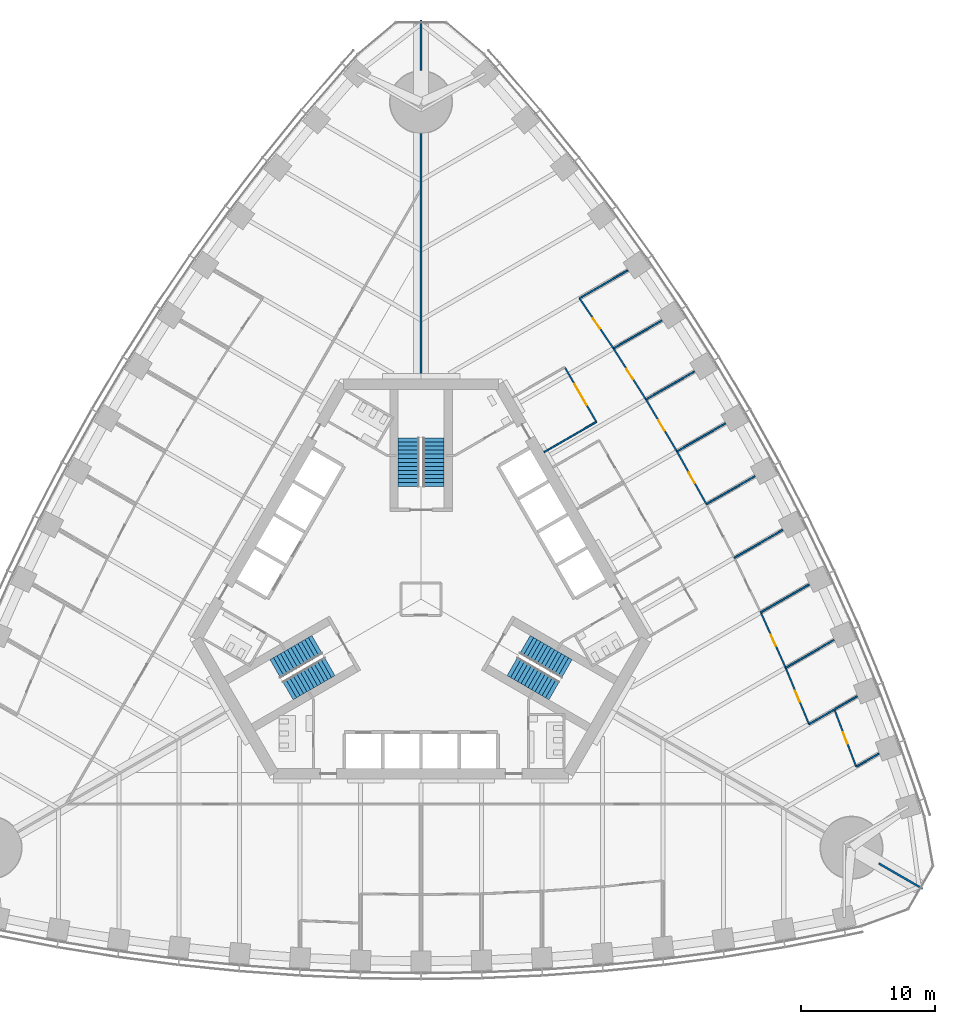
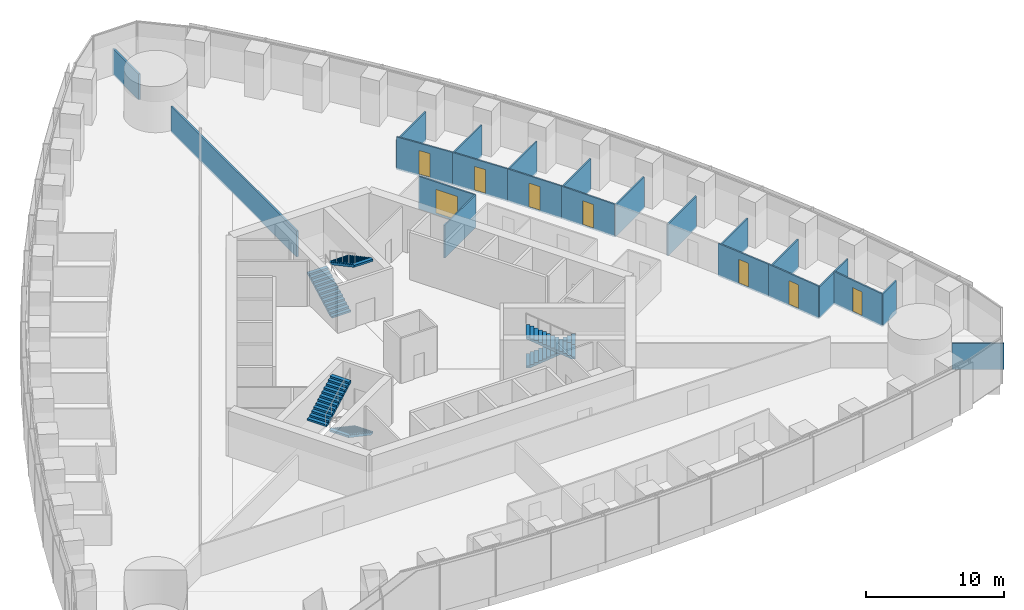
# One storey, part 13 of 18: 22 walls, 8 doors, 6 stair flights, 8 openings, 3 elements without a shape of their own.
"""IFC4 building model written with IfcOpenShell, lengths in metres."""

from ifc_helpers import new_model, si_unit, direction, frame, frame_2d, origin, place, context, subcontext, project, spatial, polyline, rectangle, outline, extrude, material, layer, layer_set, type_object, element, fill, aggregate, save


model = new_model("IFC4")

# Units and contexts
model_context = context("Model", 3, precision=1e-05, world=origin(), true_north=direction((0.0, 1.0)))
body_context = subcontext(model_context, "Body", "Model", "MODEL_VIEW")
ifc_project = project(units=[si_unit("LENGTHUNIT", "METRE"), si_unit("AREAUNIT", "SQUARE_METRE"), si_unit("VOLUMEUNIT", "CUBIC_METRE"), si_unit("PLANEANGLEUNIT", "RADIAN"), si_unit("MASSUNIT", "GRAM", prefix="KILO")], contexts=[model_context])

# Site, building, storey
site_placement = place(None, origin())
site = spatial("IfcSite", under=ifc_project, at=site_placement, CompositionType="ELEMENT")
building_placement = place(site_placement, origin())
building = spatial("IfcBuilding", under=site, at=building_placement, Name="Trefoil Bronze Tower", CompositionType="ELEMENT")
storey_placement = place(building_placement, frame((0.0, 0.0, 58.5)))
storey = spatial("IfcBuildingStorey", under=building, at=storey_placement, Name="L13", CompositionType="ELEMENT", Elevation=58.5)

# Wall, opening, door
ifc_material_1 = material(Name="Glazed partition", Category="glass")
ifc_layer_1 = layer(ifc_material_1, 0.1201171875)
ifc_layer_set_1 = layer_set([ifc_layer_1], Name="Glazed partition 120")
wall_type_1 = type_object("IfcWallType", Name="Glazed partition 120", PredefinedType="PARTITIONING", material=ifc_layer_set_1)
wall_1_placement = place(storey_placement, frame((13.0517578125, 13.193603515625, 0.0), z_axis=(0.0, 0.0, 1.0), x_axis=(-0.499977259774, 0.866038532462, 0.0)))
wall_1 = element("IfcWall", 1, at=wall_1_placement, inside=storey, type_object=wall_type_1, Name="Partition F2 L13", PredefinedType="PARTITIONING", context=body_context, shape_type="SweptSolid", body=[
    extrude(rectangle(XDim=4.699951171875, YDim=0.1201171875, at=frame_2d((2.35009765625, 0.0))), origin(), (0.0, 0.0, 1.0), 2.89990234375),
])
opening_1_placement = place(wall_1_placement, frame((1.449951171875, 0.0, 0.14990234375)))
opening_1 = element("IfcOpeningElement", 2, at=opening_1_placement, cuts=wall_1, Name="Opening D10", PredefinedType="OPENING", context=body_context, shape_type="SweptSolid", body=[
    extrude(rectangle(XDim=1.800048828125, YDim=2.10009765625, at=frame_2d((0.89990234375, 1.050048828125))), frame((0.0, 0.070068359375, 0.0), z_axis=(0.0, -1.0, 0.0), x_axis=(1.0, 0.0, 0.0)), (0.0, 0.0, 1.0), 0.14013671875),
])
ifc_material_2 = material(Name="Timber door", Category="wood")
door_type_1 = type_object("IfcDoorType", Name="Double door 1800", OperationType="DOUBLE_DOOR_SINGLE_SWING", PredefinedType="DOOR", material=ifc_material_2)
door_1_placement = place(opening_1_placement, origin())
door_1 = element("IfcDoor", 3, at=door_1_placement, inside=storey, type_object=door_type_1, Name="Reception door F2 L13", OperationType="DOUBLE_DOOR_SINGLE_SWING", OverallHeight=2.10009765625, OverallWidth=1.800048828125, PredefinedType="DOOR", context=body_context, shape_type="SweptSolid", body=[
    extrude(rectangle(XDim=1.800048828125, YDim=2.10009765625, at=frame_2d((0.89990234375, 1.050048828125))), frame((0.0, 0.02490234375, 0.0), z_axis=(0.0, -1.0, 0.0), x_axis=(1.0, 0.0, 0.0)), (0.0, 0.0, 1.0), 0.050048828125),
])
fill(opening_1, door_1)

# Wall
wall_2_placement = place(storey_placement, frame((9.15478515625, 10.943603515625, 0.0), z_axis=(0.0, 0.0, 1.0), x_axis=(0.866017533419, 0.500013631625, 0.0)))
element("IfcWall", 4, at=wall_2_placement, inside=storey, type_object=wall_type_1, Name="Partition F2 L13", PredefinedType="PARTITIONING", context=body_context, shape_type="SweptSolid", body=[
    extrude(rectangle(XDim=4.499755859375, YDim=0.1201171875, at=frame_2d((2.25, 0.0))), origin(), (0.0, 0.0, 1.0), 2.89990234375),
])

# Wall, opening, door
wall_3_placement = place(storey_placement, frame((19.051513671875, 10.999267578125, 0.0), z_axis=(0.0, 0.0, 1.0), x_axis=(-0.51252396108, 0.858672923364, 0.0)))
wall_3 = element("IfcWall", 5, at=wall_3_placement, inside=storey, type_object=wall_type_1, Name="Partition F2 L13", PredefinedType="PARTITIONING", context=body_context, shape_type="SweptSolid", body=[
    extrude(rectangle(XDim=4.50048828125, YDim=0.1201171875, at=frame_2d((2.250244140625, 0.0))), origin(), (0.0, 0.0, 1.0), 2.89990234375),
])
opening_2_placement = place(wall_3_placement, frame((1.800048828125, 0.0, 0.14990234375)))
opening_2 = element("IfcOpeningElement", 6, at=opening_2_placement, cuts=wall_3, Name="Opening D8", PredefinedType="OPENING", context=body_context, shape_type="SweptSolid", body=[
    extrude(rectangle(XDim=0.89990234375, YDim=2.10009765625, at=frame_2d((0.449951171875, 1.050048828125))), frame((0.0, 0.070068359375, 0.0), z_axis=(0.0, -1.0, 0.0), x_axis=(1.0, 0.0, 0.0)), (0.0, 0.0, 1.0), 0.14013671875),
])
ifc_material_3 = material(Name="Timber door", Category="wood")
door_type_2 = type_object("IfcDoorType", Name="Office door 900", OperationType="SINGLE_SWING_LEFT", PredefinedType="DOOR", material=ifc_material_3)
door_2_placement = place(opening_2_placement, frame((0.89990234375, 0.0, 0.0), z_axis=(0.0, 0.0, 1.0), x_axis=(-1.0, 0.0, 0.0)))
door_2 = element("IfcDoor", 7, at=door_2_placement, inside=storey, type_object=door_type_2, Name="Office door F2 L13", OperationType="SINGLE_SWING_RIGHT", OverallHeight=2.10009765625, OverallWidth=0.89990234375, PredefinedType="DOOR", context=body_context, shape_type="SweptSolid", body=[
    extrude(rectangle(XDim=0.89990234375, YDim=2.10009765625, at=frame_2d((0.449951171875, 1.050048828125))), frame((0.0, 0.02490234375, 0.0), z_axis=(0.0, -1.0, 0.0), x_axis=(1.0, 0.0, 0.0)), (0.0, 0.0, 1.0), 0.050048828125),
])
fill(opening_2, door_2)

wall_4_placement = place(storey_placement, frame((16.744873046875, 14.86376953125, 0.0), z_axis=(0.0, 0.0, 1.0), x_axis=(-0.537205132487, 0.843451626135, 0.0)))
wall_4 = element("IfcWall", 8, at=wall_4_placement, inside=storey, type_object=wall_type_1, Name="Partition F2 L13", PredefinedType="PARTITIONING", context=body_context, shape_type="SweptSolid", body=[
    extrude(rectangle(XDim=4.504150390625, YDim=0.1201171875, at=frame_2d((2.251953125, 0.0))), origin(), (0.0, 0.0, 1.0), 2.89990234375),
])
opening_3_placement = place(wall_4_placement, frame((1.800048828125, 0.0, 0.14990234375)))
opening_3 = element("IfcOpeningElement", 9, at=opening_3_placement, cuts=wall_4, Name="Opening D8", PredefinedType="OPENING", context=body_context, shape_type="SweptSolid", body=[
    extrude(rectangle(XDim=0.89990234375, YDim=2.10009765625, at=frame_2d((0.449951171875, 1.050048828125))), frame((0.0, 0.070068359375, 0.0), z_axis=(0.0, -1.0, 0.0), x_axis=(1.0, 0.0, 0.0)), (0.0, 0.0, 1.0), 0.14013671875),
])
door_3_placement = place(opening_3_placement, frame((0.89990234375, 0.0, 0.0), z_axis=(0.0, 0.0, 1.0), x_axis=(-1.0, 0.0, 0.0)))
door_3 = element("IfcDoor", 10, at=door_3_placement, inside=storey, type_object=door_type_2, Name="Office door F2 L13", OperationType="SINGLE_SWING_RIGHT", OverallHeight=2.10009765625, OverallWidth=0.89990234375, PredefinedType="DOOR", context=body_context, shape_type="SweptSolid", body=[
    extrude(rectangle(XDim=0.89990234375, YDim=2.10009765625, at=frame_2d((0.449951171875, 1.050048828125))), frame((0.0, 0.02490234375, 0.0), z_axis=(0.0, -1.0, 0.0), x_axis=(1.0, 0.0, 0.0)), (0.0, 0.0, 1.0), 0.050048828125),
])
fill(opening_3, door_3)

wall_5_placement = place(storey_placement, frame((14.3251953125, 18.662841796875, 0.0), z_axis=(0.0, 0.0, 1.0), x_axis=(-0.561512004239, 0.827468591002, 0.0)))
wall_5 = element("IfcWall", 11, at=wall_5_placement, inside=storey, type_object=wall_type_1, Name="Partition F2 L13", PredefinedType="PARTITIONING", context=body_context, shape_type="SweptSolid", body=[
    extrude(rectangle(XDim=4.51171875, YDim=0.1201171875, at=frame_2d((2.255859375, 0.0))), origin(), (0.0, 0.0, 1.0), 2.89990234375),
])
opening_4_placement = place(wall_5_placement, frame((1.800048828125, 0.0, 0.14990234375)))
opening_4 = element("IfcOpeningElement", 12, at=opening_4_placement, cuts=wall_5, Name="Opening D8", PredefinedType="OPENING", context=body_context, shape_type="SweptSolid", body=[
    extrude(rectangle(XDim=0.89990234375, YDim=2.10009765625, at=frame_2d((0.449951171875, 1.050048828125))), frame((0.0, 0.070068359375, 0.0), z_axis=(0.0, -1.0, 0.0), x_axis=(1.0, 0.0, 0.0)), (0.0, 0.0, 1.0), 0.14013671875),
])
door_4_placement = place(opening_4_placement, frame((0.89990234375, 0.0, 0.0), z_axis=(0.0, 0.0, 1.0), x_axis=(-1.0, 0.0, 0.0)))
door_4 = element("IfcDoor", 13, at=door_4_placement, inside=storey, type_object=door_type_2, Name="Office door F2 L13", OperationType="SINGLE_SWING_RIGHT", OverallHeight=2.10009765625, OverallWidth=0.89990234375, PredefinedType="DOOR", context=body_context, shape_type="SweptSolid", body=[
    extrude(rectangle(XDim=0.89990234375, YDim=2.10009765625, at=frame_2d((0.449951171875, 1.050048828125))), frame((0.0, 0.02490234375, 0.0), z_axis=(0.0, -1.0, 0.0), x_axis=(1.0, 0.0, 0.0)), (0.0, 0.0, 1.0), 0.050048828125),
])
fill(opening_4, door_4)

wall_6_placement = place(storey_placement, frame((27.143798828125, -5.113037109375, 0.0), z_axis=(0.0, 0.0, 1.0), x_axis=(-0.409451055745, 0.912332084796, 0.0)))
wall_6 = element("IfcWall", 14, at=wall_6_placement, inside=storey, type_object=wall_type_1, Name="Partition F2 L13", PredefinedType="PARTITIONING", context=body_context, shape_type="SweptSolid", body=[
    extrude(rectangle(XDim=4.523193359375, YDim=0.1201171875, at=frame_2d((2.26171875, 0.0))), origin(), (0.0, 0.0, 1.0), 2.89990234375),
])
opening_5_placement = place(wall_6_placement, frame((1.800048828125, 0.0, 0.14990234375)))
opening_5 = element("IfcOpeningElement", 15, at=opening_5_placement, cuts=wall_6, Name="Opening D8", PredefinedType="OPENING", context=body_context, shape_type="SweptSolid", body=[
    extrude(rectangle(XDim=0.89990234375, YDim=2.10009765625, at=frame_2d((0.449951171875, 1.050048828125))), frame((0.0, 0.070068359375, 0.0), z_axis=(0.0, -1.0, 0.0), x_axis=(1.0, 0.0, 0.0)), (0.0, 0.0, 1.0), 0.14013671875),
])
door_5_placement = place(opening_5_placement, frame((0.89990234375, 0.0, 0.0), z_axis=(0.0, 0.0, 1.0), x_axis=(-1.0, 0.0, 0.0)))
door_5 = element("IfcDoor", 16, at=door_5_placement, inside=storey, type_object=door_type_2, Name="Office door F2 L13", OperationType="SINGLE_SWING_RIGHT", OverallHeight=2.10009765625, OverallWidth=0.89990234375, PredefinedType="DOOR", context=body_context, shape_type="SweptSolid", body=[
    extrude(rectangle(XDim=0.89990234375, YDim=2.10009765625, at=frame_2d((0.449951171875, 1.050048828125))), frame((0.0, 0.02490234375, 0.0), z_axis=(0.0, -1.0, 0.0), x_axis=(1.0, 0.0, 0.0)), (0.0, 0.0, 1.0), 0.050048828125),
])
fill(opening_5, door_5)

wall_7_placement = place(storey_placement, frame((28.88037109375, -9.306640625, 0.0), z_axis=(0.0, 0.0, 1.0), x_axis=(-0.382594071331, 0.923916542001, 0.0)))
wall_7 = element("IfcWall", 17, at=wall_7_placement, inside=storey, type_object=wall_type_1, Name="Partition F2 L13", PredefinedType="PARTITIONING", context=body_context, shape_type="SweptSolid", body=[
    extrude(rectangle(XDim=4.5390625, YDim=0.1201171875, at=frame_2d((2.26953125, 0.0))), origin(), (0.0, 0.0, 1.0), 2.89990234375),
])
opening_6_placement = place(wall_7_placement, frame((1.800048828125, 0.0, 0.14990234375)))
opening_6 = element("IfcOpeningElement", 18, at=opening_6_placement, cuts=wall_7, Name="Opening D8", PredefinedType="OPENING", context=body_context, shape_type="SweptSolid", body=[
    extrude(rectangle(XDim=0.89990234375, YDim=2.10009765625, at=frame_2d((0.449951171875, 1.050048828125))), frame((0.0, 0.070068359375, 0.0), z_axis=(0.0, -1.0, 0.0), x_axis=(1.0, 0.0, 0.0)), (0.0, 0.0, 1.0), 0.14013671875),
])
door_6_placement = place(opening_6_placement, frame((0.89990234375, 0.0, 0.0), z_axis=(0.0, 0.0, 1.0), x_axis=(-1.0, 0.0, 0.0)))
door_6 = element("IfcDoor", 19, at=door_6_placement, inside=storey, type_object=door_type_2, Name="Office door F2 L13", OperationType="SINGLE_SWING_RIGHT", OverallHeight=2.10009765625, OverallWidth=0.89990234375, PredefinedType="DOOR", context=body_context, shape_type="SweptSolid", body=[
    extrude(rectangle(XDim=0.89990234375, YDim=2.10009765625, at=frame_2d((0.449951171875, 1.050048828125))), frame((0.0, 0.02490234375, 0.0), z_axis=(0.0, -1.0, 0.0), x_axis=(1.0, 0.0, 0.0)), (0.0, 0.0, 1.0), 0.050048828125),
])
fill(opening_6, door_6)

wall_8_placement = place(storey_placement, frame((32.392578125, -12.47509765625, 0.0), z_axis=(0.0, 0.0, 1.0), x_axis=(-0.355351603025, 0.93473270951, 0.0)))
wall_8 = element("IfcWall", 20, at=wall_8_placement, inside=storey, type_object=wall_type_1, Name="Partition F2 L13", PredefinedType="PARTITIONING", context=body_context, shape_type="SweptSolid", body=[
    extrude(rectangle(XDim=4.55859375, YDim=0.1201171875, at=frame_2d((2.279296875, 0.0))), origin(), (0.0, 0.0, 1.0), 2.89990234375),
])
opening_7_placement = place(wall_8_placement, frame((1.85009765625, 0.0, 0.14990234375)))
opening_7 = element("IfcOpeningElement", 21, at=opening_7_placement, cuts=wall_8, Name="Opening D8", PredefinedType="OPENING", context=body_context, shape_type="SweptSolid", body=[
    extrude(rectangle(XDim=0.89990234375, YDim=2.10009765625, at=frame_2d((0.449951171875, 1.050048828125))), frame((0.0, 0.070068359375, 0.0), z_axis=(0.0, -1.0, 0.0), x_axis=(1.0, 0.0, 0.0)), (0.0, 0.0, 1.0), 0.14013671875),
])
door_7_placement = place(opening_7_placement, frame((0.89990234375, 0.0, 0.0), z_axis=(0.0, 0.0, 1.0), x_axis=(-1.0, 0.0, 0.0)))
door_7 = element("IfcDoor", 22, at=door_7_placement, inside=storey, type_object=door_type_2, Name="Print and store room door F2 L13", OperationType="SINGLE_SWING_LEFT", OverallHeight=2.10009765625, OverallWidth=0.89990234375, PredefinedType="DOOR", context=body_context, shape_type="SweptSolid", body=[
    extrude(rectangle(XDim=0.89990234375, YDim=2.10009765625, at=frame_2d((0.449951171875, 1.050048828125))), frame((0.0, 0.02490234375, 0.0), z_axis=(0.0, -1.0, 0.0), x_axis=(1.0, 0.0, 0.0)), (0.0, 0.0, 1.0), 0.050048828125),
])
fill(opening_7, door_7)

wall_9_placement = place(storey_placement, frame((21.244873046875, 7.069580078125, 0.0), z_axis=(0.0, 0.0, 1.0), x_axis=(-0.487373854787, 0.873193406795, 0.0)))
wall_9 = element("IfcWall", 23, at=wall_9_placement, inside=storey, type_object=wall_type_1, Name="Partition F2 L13", PredefinedType="PARTITIONING", context=body_context, shape_type="SweptSolid", body=[
    extrude(rectangle(XDim=4.500244140625, YDim=0.1201171875, at=frame_2d((2.25, 0.0))), origin(), (0.0, 0.0, 1.0), 2.89990234375),
])
opening_8_placement = place(wall_9_placement, frame((1.800048828125, 0.0, 0.14990234375)))
opening_8 = element("IfcOpeningElement", 24, at=opening_8_placement, cuts=wall_9, Name="Opening D8", PredefinedType="OPENING", context=body_context, shape_type="SweptSolid", body=[
    extrude(rectangle(XDim=0.89990234375, YDim=2.10009765625, at=frame_2d((0.449951171875, 1.050048828125))), frame((0.0, 0.070068359375, 0.0), z_axis=(0.0, -1.0, 0.0), x_axis=(1.0, 0.0, 0.0)), (0.0, 0.0, 1.0), 0.14013671875),
])
door_8_placement = place(opening_8_placement, frame((0.89990234375, 0.0, 0.0), z_axis=(0.0, 0.0, 1.0), x_axis=(-1.0, 0.0, 0.0)))
door_8 = element("IfcDoor", 25, at=door_8_placement, inside=storey, type_object=door_type_2, Name="Office door F2 L13", OperationType="SINGLE_SWING_RIGHT", OverallHeight=2.10009765625, OverallWidth=0.89990234375, PredefinedType="DOOR", context=body_context, shape_type="SweptSolid", body=[
    extrude(rectangle(XDim=0.89990234375, YDim=2.10009765625, at=frame_2d((0.449951171875, 1.050048828125))), frame((0.0, 0.02490234375, 0.0), z_axis=(0.0, -1.0, 0.0), x_axis=(1.0, 0.0, 0.0)), (0.0, 0.0, 1.0), 0.050048828125),
])
fill(opening_8, door_8)

# Walls
wall_10_placement = place(storey_placement, frame((19.051513671875, 10.999267578125, 0.0), z_axis=(0.0, 0.0, 1.0), x_axis=(0.866004239599, 0.500036655653, 0.0)))
element("IfcWall", 26, at=wall_10_placement, inside=storey, type_object=wall_type_1, Name="Partition F2 L13", PredefinedType="PARTITIONING", context=body_context, shape_type="SweptSolid", body=[
    extrude(rectangle(XDim=4.170166015625, YDim=0.1201171875, at=frame_2d((2.0849609375, 0.0))), origin(), (0.0, 0.0, 1.0), 2.800048828125),
])
wall_11_placement = place(storey_placement, frame((11.791748046875, 22.396240234375, 0.0), z_axis=(0.0, 0.0, 1.0), x_axis=(0.866011781705, 0.500023593391, 0.0)))
element("IfcWall", 27, at=wall_11_placement, inside=storey, type_object=wall_type_1, Name="Partition F2 L13", PredefinedType="PARTITIONING", context=body_context, shape_type="SweptSolid", body=[
    extrude(rectangle(XDim=4.163818359375, YDim=0.1201171875, at=frame_2d((2.08203125, 0.0))), origin(), (0.0, 0.0, 1.0), 2.60009765625),
])
wall_12_placement = place(storey_placement, frame((16.744873046875, 14.86376953125, 0.0), z_axis=(0.0, 0.0, 1.0), x_axis=(0.866025669538, 0.499999539701, 0.0)))
element("IfcWall", 28, at=wall_12_placement, inside=storey, type_object=wall_type_1, Name="Partition F2 L13", PredefinedType="PARTITIONING", context=body_context, shape_type="SweptSolid", body=[
    extrude(rectangle(XDim=4.16943359375, YDim=0.1201171875, at=frame_2d((2.084716796875, 0.0))), origin(), (0.0, 0.0, 1.0), 2.800048828125),
])
wall_13_placement = place(storey_placement, frame((14.3251953125, 18.662841796875, 0.0), z_axis=(0.0, 0.0, 1.0), x_axis=(0.866009971343, 0.50002672882, 0.0)))
element("IfcWall", 29, at=wall_13_placement, inside=storey, type_object=wall_type_1, Name="Partition F2 L13", PredefinedType="PARTITIONING", context=body_context, shape_type="SweptSolid", body=[
    extrude(rectangle(XDim=4.167236328125, YDim=0.1201171875, at=frame_2d((2.08349609375, 0.0))), origin(), (0.0, 0.0, 1.0), 2.800048828125),
])
wall_14_placement = place(storey_placement, frame((25.291748046875, -0.986328125, 0.0), z_axis=(0.0, 0.0, 1.0), x_axis=(0.866011781705, 0.500023593391, 0.0)))
element("IfcWall", 30, at=wall_14_placement, inside=storey, type_object=wall_type_1, Name="Partition F2 L13", PredefinedType="PARTITIONING", context=body_context, shape_type="SweptSolid", body=[
    extrude(rectangle(XDim=4.163818359375, YDim=0.1201171875, at=frame_2d((2.08203125, 0.0))), origin(), (0.0, 0.0, 1.0), 2.60009765625),
])
wall_15_placement = place(storey_placement, frame((27.143798828125, -5.113037109375, 0.0), z_axis=(0.0, 0.0, 1.0), x_axis=(0.866031144707, 0.499990056298, 0.0)))
element("IfcWall", 31, at=wall_15_placement, inside=storey, type_object=wall_type_1, Name="Partition F2 L13", PredefinedType="PARTITIONING", context=body_context, shape_type="SweptSolid", body=[
    extrude(rectangle(XDim=4.1591796875, YDim=0.1201171875, at=frame_2d((2.07958984375, 0.0))), origin(), (0.0, 0.0, 1.0), 2.60009765625),
])
wall_16_placement = place(storey_placement, frame((28.88037109375, -9.306640625, 0.0), z_axis=(0.0, 0.0, 1.0), x_axis=(0.866027987673, 0.499995524547, 0.0)))
element("IfcWall", 32, at=wall_16_placement, inside=storey, type_object=wall_type_1, Name="Partition F2 L13", PredefinedType="PARTITIONING", context=body_context, shape_type="SweptSolid", body=[
    extrude(rectangle(XDim=4.1533203125, YDim=0.1201171875, at=frame_2d((2.07666015625, 0.0))), origin(), (0.0, 0.0, 1.0), 2.800048828125),
])
wall_17_placement = place(storey_placement, frame((32.392578125, -12.47509765625, 0.0), z_axis=(0.0, 0.0, 1.0), x_axis=(0.865996887259, 0.500049388818, 0.0)))
element("IfcWall", 33, at=wall_17_placement, inside=storey, type_object=wall_type_1, Name="Partition F2 L13", PredefinedType="PARTITIONING", context=body_context, shape_type="SweptSolid", body=[
    extrude(rectangle(XDim=1.960693359375, YDim=0.1201171875, at=frame_2d((0.98046875, 0.0))), origin(), (0.0, 0.0, 1.0), 2.89990234375),
])
wall_18_placement = place(storey_placement, frame((21.244873046875, 7.069580078125, 0.0), z_axis=(0.0, 0.0, 1.0), x_axis=(0.866025669538, 0.499999539701, 0.0)))
element("IfcWall", 34, at=wall_18_placement, inside=storey, type_object=wall_type_1, Name="Partition F2 L13", PredefinedType="PARTITIONING", context=body_context, shape_type="SweptSolid", body=[
    extrude(rectangle(XDim=4.16943359375, YDim=0.1201171875, at=frame_2d((2.084716796875, 0.0))), origin(), (0.0, 0.0, 1.0), 2.800048828125),
])
wall_19_placement = place(storey_placement, frame((23.3251953125, 3.074462890625, 0.0), z_axis=(0.0, 0.0, 1.0), x_axis=(0.866009971343, 0.50002672882, 0.0)))
element("IfcWall", 35, at=wall_19_placement, inside=storey, type_object=wall_type_1, Name="Partition F2 L13", PredefinedType="PARTITIONING", context=body_context, shape_type="SweptSolid", body=[
    extrude(rectangle(XDim=4.167236328125, YDim=0.1201171875, at=frame_2d((2.08349609375, 0.0))), origin(), (0.0, 0.0, 1.0), 2.800048828125),
])
ifc_material_4 = material(Name="Gypsum board on steel studs", Category="steel")
ifc_layer_2 = layer(ifc_material_4, 0.14990234375)
ifc_layer_set_2 = layer_set([ifc_layer_2], Name="Party wall 150")
wall_type_2 = type_object("IfcWallType", Name="Party wall 150", PredefinedType="PARTITIONING", material=ifc_layer_set_2)
wall_20_placement = place(storey_placement, frame((34.078125, -19.675048828125, 0.0), z_axis=(0.0, 0.0, 1.0), x_axis=(0.866019247219, -0.500010663332, 0.0)))
element("IfcWall", 36, at=wall_20_placement, inside=storey, type_object=wall_type_2, Name="Party wall K1 L13", PredefinedType="PARTITIONING", context=body_context, shape_type="SweptSolid", body=[
    extrude(rectangle(XDim=3.76416015625, YDim=0.14990234375, at=frame_2d((1.882080078125, 0.0))), origin(), (0.0, 0.0, 1.0), 2.300048828125),
])
wall_21_placement = place(storey_placement, frame((0.0, 16.39990234375, 0.0), z_axis=(0.0, 0.0, 1.0), x_axis=(0.0, 1.0, 0.0)))
element("IfcWall", 37, at=wall_21_placement, inside=storey, type_object=wall_type_2, Name="Party wall K2 L13", PredefinedType="PARTITIONING", context=body_context, shape_type="SweptSolid", body=[
    extrude(rectangle(XDim=18.25, YDim=0.14990234375, at=frame_2d((9.125, 0.0))), origin(), (0.0, 0.0, 1.0), 2.300048828125),
])
wall_22_placement = place(storey_placement, frame((0.0, 39.35009765625, 0.0), z_axis=(0.0, 0.0, 1.0), x_axis=(0.0, 1.0, 0.0)))
element("IfcWall", 38, at=wall_22_placement, inside=storey, type_object=wall_type_2, Name="Party wall K2 L13", PredefinedType="PARTITIONING", context=body_context, shape_type="SweptSolid", body=[
    extrude(rectangle(XDim=3.763916015625, YDim=0.14990234375, at=frame_2d((1.8818359375, 0.0))), origin(), (0.0, 0.0, 1.0), 2.300048828125),
])

# Stair, stair flights
ifc_material_5 = material(Name="Precast concrete B80", Category="concrete")
stair_type = type_object("IfcStairType", Name="Exit stair 26 risers", PredefinedType="HALF_TURN_STAIR", material=ifc_material_5)
stair_1_placement = place(storey_placement, origin())
stair_1 = element("IfcStair", 39, at=stair_1_placement, inside=storey, type_object=stair_type, Name="Stair ST1 L13", PredefinedType="HALF_TURN_STAIR")
ifc_material_6 = material(Name="Precast concrete B80", Category="concrete")
stair_flight_type = type_object("IfcStairFlightType", Name="Stair flight 1600", PredefinedType="STRAIGHT", material=ifc_material_6)
stair_flight_1_placement = place(storey_placement, frame((7.728515625, -3.39404296875, 0.0), z_axis=(0.0, 0.0, 1.0), x_axis=(0.866025403784, -0.5, 0.0)))
stair_flight_1 = element("IfcStairFlight", 40, at=stair_flight_1_placement, type_object=stair_flight_type, Name="ST1 flight 1", NumberOfRisers=13, NumberOfTreads=12, PredefinedType="STRAIGHT", RiserHeight=0.161538462, TreadLength=0.3, context=body_context, shape_type="SweptSolid", body=[
    extrude(outline(polyline([(0.0, 0.0), (0.0, 0.16162109375), (0.300048828125, 0.16162109375), (0.300048828125, 0.322998046875), (0.60009765625, 0.322998046875), (0.60009765625, 0.484619140625), (0.89990234375, 0.484619140625), (0.89990234375, 0.646240234375), (1.199951171875, 0.646240234375), (1.199951171875, 0.8076171875), (1.5, 0.8076171875), (1.5, 0.96923828125), (1.800048828125, 0.96923828125), (1.800048828125, 1.130859375), (2.10009765625, 1.130859375), (2.10009765625, 1.292236328125), (2.39990234375, 1.292236328125), (2.39990234375, 1.453857421875), (2.699951171875, 1.453857421875), (2.699951171875, 1.615478515625), (3.0, 1.615478515625), (3.0, 1.77685546875), (3.300048828125, 1.77685546875), (3.300048828125, 1.9384765625), (3.60009765625, 1.9384765625), (3.60009765625, 2.10009765625), (3.60009765625, 1.768310546875), (0.316162109375, 0.0), (0.0, 0.0)])), frame((0.0, 0.800048828125, 0.0), z_axis=(0.0, -1.0, 0.0), x_axis=(1.0, 0.0, 0.0)), (0.0, 0.0, 1.0), 1.60009765625),
])
stair_flight_2_placement = place(storey_placement, frame((9.921142578125, -6.796142578125, 2.10009765625), z_axis=(0.0, 0.0, 1.0), x_axis=(-0.866025403784, 0.5, 0.0)))
stair_flight_2 = element("IfcStairFlight", 41, at=stair_flight_2_placement, type_object=stair_flight_type, Name="ST1 flight 2", NumberOfRisers=13, NumberOfTreads=12, PredefinedType="STRAIGHT", RiserHeight=0.161538462, TreadLength=0.3, context=body_context, shape_type="SweptSolid", body=[
    extrude(outline(polyline([(0.0, 0.0), (0.0, 0.16162109375), (0.300048828125, 0.16162109375), (0.300048828125, 0.322998046875), (0.60009765625, 0.322998046875), (0.60009765625, 0.484619140625), (0.89990234375, 0.484619140625), (0.89990234375, 0.646240234375), (1.199951171875, 0.646240234375), (1.199951171875, 0.8076171875), (1.5, 0.8076171875), (1.5, 0.96923828125), (1.800048828125, 0.96923828125), (1.800048828125, 1.130859375), (2.10009765625, 1.130859375), (2.10009765625, 1.292236328125), (2.39990234375, 1.292236328125), (2.39990234375, 1.453857421875), (2.699951171875, 1.453857421875), (2.699951171875, 1.615478515625), (3.0, 1.615478515625), (3.0, 1.77685546875), (3.300048828125, 1.77685546875), (3.300048828125, 1.9384765625), (3.60009765625, 1.9384765625), (3.60009765625, 2.10009765625), (3.60009765625, 1.768310546875), (0.316162109375, 0.0), (0.0, 0.0)])), frame((0.0, 0.800048828125, 0.0), z_axis=(0.0, -1.0, 0.0), x_axis=(1.0, 0.0, 0.0)), (0.0, 0.0, 1.0), 1.60009765625),
])
aggregate(stair_1, [stair_flight_1, stair_flight_2])

stair_2_placement = place(storey_placement, origin())
stair_2 = element("IfcStair", 42, at=stair_2_placement, inside=storey, type_object=stair_type, Name="Stair ST2 L13", PredefinedType="HALF_TURN_STAIR")
stair_flight_3_placement = place(storey_placement, frame((-0.925048828125, 8.389892578125, 0.0), z_axis=(0.0, 0.0, 1.0), x_axis=(0.0, 1.0, 0.0)))
stair_flight_3 = element("IfcStairFlight", 43, at=stair_flight_3_placement, type_object=stair_flight_type, Name="ST2 flight 1", NumberOfRisers=13, NumberOfTreads=12, PredefinedType="STRAIGHT", RiserHeight=0.161538462, TreadLength=0.3, context=body_context, shape_type="SweptSolid", body=[
    extrude(outline(polyline([(0.0, 0.0), (0.0, 0.16162109375), (0.300048828125, 0.16162109375), (0.300048828125, 0.322998046875), (0.60009765625, 0.322998046875), (0.60009765625, 0.484619140625), (0.89990234375, 0.484619140625), (0.89990234375, 0.646240234375), (1.199951171875, 0.646240234375), (1.199951171875, 0.8076171875), (1.5, 0.8076171875), (1.5, 0.96923828125), (1.800048828125, 0.96923828125), (1.800048828125, 1.130859375), (2.10009765625, 1.130859375), (2.10009765625, 1.292236328125), (2.39990234375, 1.292236328125), (2.39990234375, 1.453857421875), (2.699951171875, 1.453857421875), (2.699951171875, 1.615478515625), (3.0, 1.615478515625), (3.0, 1.77685546875), (3.300048828125, 1.77685546875), (3.300048828125, 1.9384765625), (3.60009765625, 1.9384765625), (3.60009765625, 2.10009765625), (3.60009765625, 1.768310546875), (0.316162109375, 0.0), (0.0, 0.0)])), frame((0.0, 0.800048828125, 0.0), z_axis=(0.0, -1.0, 0.0), x_axis=(1.0, 0.0, 0.0)), (0.0, 0.0, 1.0), 1.60009765625),
])
stair_flight_4_placement = place(storey_placement, frame((0.925048828125, 11.989990234375, 2.10009765625), z_axis=(0.0, 0.0, 1.0), x_axis=(0.0, -1.0, 0.0)))
stair_flight_4 = element("IfcStairFlight", 44, at=stair_flight_4_placement, type_object=stair_flight_type, Name="ST2 flight 2", NumberOfRisers=13, NumberOfTreads=12, PredefinedType="STRAIGHT", RiserHeight=0.161538462, TreadLength=0.3, context=body_context, shape_type="SweptSolid", body=[
    extrude(outline(polyline([(0.0, 0.0), (0.0, 0.16162109375), (0.300048828125, 0.16162109375), (0.300048828125, 0.322998046875), (0.60009765625, 0.322998046875), (0.60009765625, 0.484619140625), (0.89990234375, 0.484619140625), (0.89990234375, 0.646240234375), (1.199951171875, 0.646240234375), (1.199951171875, 0.8076171875), (1.5, 0.8076171875), (1.5, 0.96923828125), (1.800048828125, 0.96923828125), (1.800048828125, 1.130859375), (2.10009765625, 1.130859375), (2.10009765625, 1.292236328125), (2.39990234375, 1.292236328125), (2.39990234375, 1.453857421875), (2.699951171875, 1.453857421875), (2.699951171875, 1.615478515625), (3.0, 1.615478515625), (3.0, 1.77685546875), (3.300048828125, 1.77685546875), (3.300048828125, 1.9384765625), (3.60009765625, 1.9384765625), (3.60009765625, 2.10009765625), (3.60009765625, 1.768310546875), (0.316162109375, 0.0), (0.0, 0.0)])), frame((0.0, 0.800048828125, 0.0), z_axis=(0.0, -1.0, 0.0), x_axis=(1.0, 0.0, 0.0)), (0.0, 0.0, 1.0), 1.60009765625),
])
aggregate(stair_2, [stair_flight_3, stair_flight_4])

stair_3_placement = place(storey_placement, origin())
stair_3 = element("IfcStair", 45, at=stair_3_placement, inside=storey, type_object=stair_type, Name="Stair ST3 L13", PredefinedType="HALF_TURN_STAIR")
stair_flight_5_placement = place(storey_placement, frame((-6.803466796875, -4.99609375, 0.0), z_axis=(0.0, 0.0, 1.0), x_axis=(-0.866025403784, -0.5, 0.0)))
stair_flight_5 = element("IfcStairFlight", 46, at=stair_flight_5_placement, type_object=stair_flight_type, Name="ST3 flight 1", NumberOfRisers=13, NumberOfTreads=12, PredefinedType="STRAIGHT", RiserHeight=0.161538462, TreadLength=0.3, context=body_context, shape_type="SweptSolid", body=[
    extrude(outline(polyline([(0.0, 0.0), (0.0, 0.16162109375), (0.300048828125, 0.16162109375), (0.300048828125, 0.322998046875), (0.60009765625, 0.322998046875), (0.60009765625, 0.484619140625), (0.89990234375, 0.484619140625), (0.89990234375, 0.646240234375), (1.199951171875, 0.646240234375), (1.199951171875, 0.8076171875), (1.5, 0.8076171875), (1.5, 0.96923828125), (1.800048828125, 0.96923828125), (1.800048828125, 1.130859375), (2.10009765625, 1.130859375), (2.10009765625, 1.292236328125), (2.39990234375, 1.292236328125), (2.39990234375, 1.453857421875), (2.699951171875, 1.453857421875), (2.699951171875, 1.615478515625), (3.0, 1.615478515625), (3.0, 1.77685546875), (3.300048828125, 1.77685546875), (3.300048828125, 1.9384765625), (3.60009765625, 1.9384765625), (3.60009765625, 2.10009765625), (3.60009765625, 1.768310546875), (0.316162109375, 0.0), (0.0, 0.0)])), frame((0.0, 0.800048828125, 0.0), z_axis=(0.0, -1.0, 0.0), x_axis=(1.0, 0.0, 0.0)), (0.0, 0.0, 1.0), 1.60009765625),
])
stair_flight_6_placement = place(storey_placement, frame((-10.84619140625, -5.19384765625, 2.10009765625), z_axis=(0.0, 0.0, 1.0), x_axis=(0.866025403784, 0.5, 0.0)))
stair_flight_6 = element("IfcStairFlight", 47, at=stair_flight_6_placement, type_object=stair_flight_type, Name="ST3 flight 2", NumberOfRisers=13, NumberOfTreads=12, PredefinedType="STRAIGHT", RiserHeight=0.161538462, TreadLength=0.3, context=body_context, shape_type="SweptSolid", body=[
    extrude(outline(polyline([(0.0, 0.0), (0.0, 0.16162109375), (0.300048828125, 0.16162109375), (0.300048828125, 0.322998046875), (0.60009765625, 0.322998046875), (0.60009765625, 0.484619140625), (0.89990234375, 0.484619140625), (0.89990234375, 0.646240234375), (1.199951171875, 0.646240234375), (1.199951171875, 0.8076171875), (1.5, 0.8076171875), (1.5, 0.96923828125), (1.800048828125, 0.96923828125), (1.800048828125, 1.130859375), (2.10009765625, 1.130859375), (2.10009765625, 1.292236328125), (2.39990234375, 1.292236328125), (2.39990234375, 1.453857421875), (2.699951171875, 1.453857421875), (2.699951171875, 1.615478515625), (3.0, 1.615478515625), (3.0, 1.77685546875), (3.300048828125, 1.77685546875), (3.300048828125, 1.9384765625), (3.60009765625, 1.9384765625), (3.60009765625, 2.10009765625), (3.60009765625, 1.768310546875), (0.316162109375, 0.0), (0.0, 0.0)])), frame((0.0, 0.800048828125, 0.0), z_axis=(0.0, -1.0, 0.0), x_axis=(1.0, 0.0, 0.0)), (0.0, 0.0, 1.0), 1.60009765625),
])
aggregate(stair_3, [stair_flight_5, stair_flight_6])

save(model, "model.ifc")
